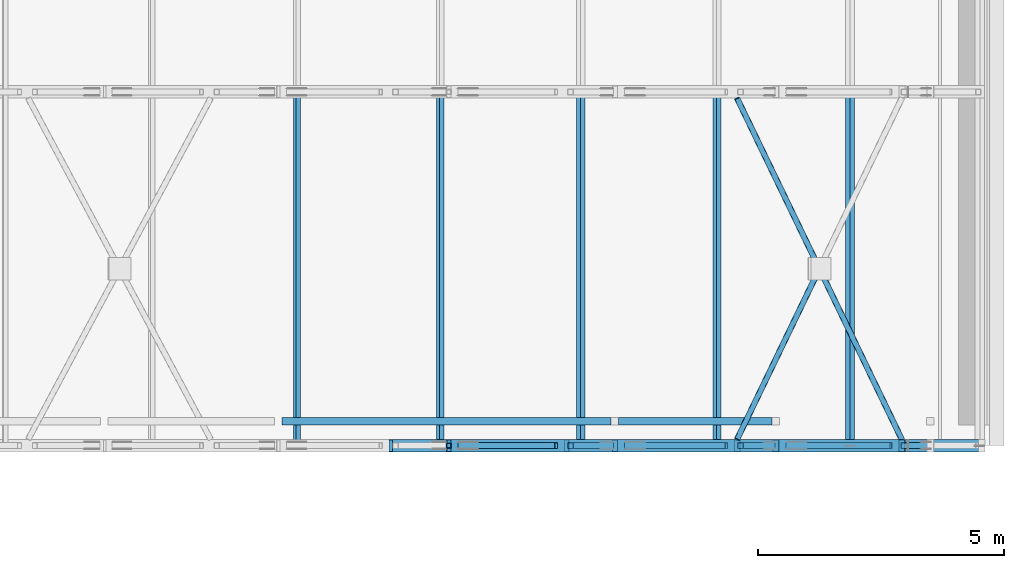
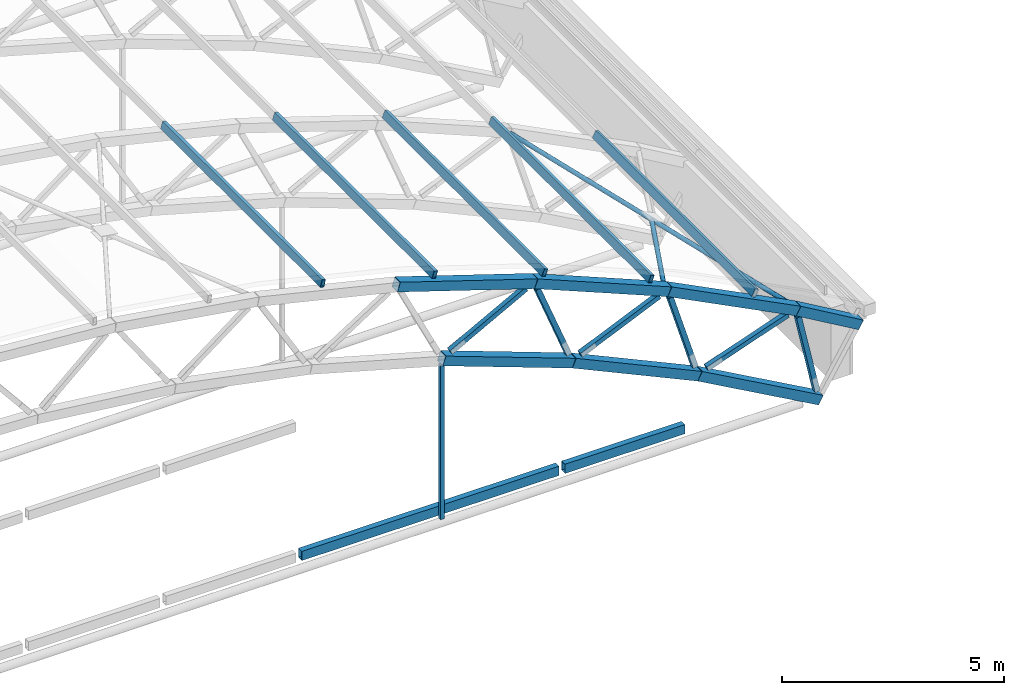
# One storey, part 52 of 127: 21 members, 2 beams.
"""IFC4 building model written with IfcOpenShell, lengths in metres."""

from ifc_helpers import new_model, si_unit, direction, frame, origin, origin_2d, place, context, subcontext, project, spatial, hollow_rectangle, hollow_circle, extrude, material, material_profile, profile_set, type_object, element, save


model = new_model("IFC4")

# Units and contexts
model_context = context("Model", 3, precision=1e-05, world=origin(), true_north=direction((0.0, 1.0)))
body_context = subcontext(model_context, "Body", "Model", "MODEL_VIEW")
ifc_project = project(units=[si_unit("LENGTHUNIT", "METRE"), si_unit("AREAUNIT", "SQUARE_METRE"), si_unit("VOLUMEUNIT", "CUBIC_METRE"), si_unit("PLANEANGLEUNIT", "RADIAN"), si_unit("MASSUNIT", "GRAM", prefix="KILO")], contexts=[model_context])

# Site, building, storey
site_placement = place(None, origin())
site = spatial("IfcSite", under=ifc_project, at=site_placement, CompositionType="ELEMENT")
building_placement = place(site_placement, origin())
building = spatial("IfcBuilding", under=site, at=building_placement, Name="Verrick Yard Athletic Hall", CompositionType="ELEMENT")
storey_placement = place(building_placement, frame((0.0, 0.0, 14.0)))
storey = spatial("IfcBuildingStorey", under=building, at=storey_placement, Name="L03", CompositionType="ELEMENT", Elevation=14.0)

# Members
ifc_material = material(Name="Structural steel HSS Class C 350W (CSA G40.20/G40.21)", Category="steel")
ifc_material_profile_1 = material_profile(ifc_material, hollow_rectangle(XDim=0.25390625, YDim=0.25390625, WallThickness=0.009521484375, at=origin_2d()), Name="HSS254x254x9.5")
ifc_profile_set_1 = profile_set([ifc_material_profile_1], Name="Structural steel HSS Class C 350W (CSA G40.20/G40.21)")
member_type_1 = type_object("IfcMemberType", Name="HB bottom chord HSS254x254x9.5", PredefinedType="CHORD", material=ifc_profile_set_1)
member_1_placement = place(storey_placement, frame((159.797119140625, 72.0, 4.51123046875), z_axis=(0.938394107905, 0.0, -0.345566922966), x_axis=(0.0, 1.0, 0.0)))
element("IfcMember", 1, at=member_1_placement, inside=storey, type_object=member_type_1, Name="Truss TA1 bottom chord 12", PredefinedType="CHORD", context=body_context, shape_type="SweptSolid", body=[
    extrude(hollow_rectangle(XDim=0.25390625, YDim=0.25390625, WallThickness=0.009521484375, at=origin_2d()), origin(), (0.0, 0.0, 1.0), 3.595947265625),
])
member_2_placement = place(storey_placement, frame((163.180908203125, 72.0, 3.2646484375), z_axis=(0.908445597889, 0.0, -0.418003104865), x_axis=(0.0, 1.0, 0.0)))
element("IfcMember", 2, at=member_2_placement, inside=storey, type_object=member_type_1, Name="Truss TA1 bottom chord 13", PredefinedType="CHORD", context=body_context, shape_type="SweptSolid", body=[
    extrude(hollow_rectangle(XDim=0.25390625, YDim=0.25390625, WallThickness=0.009521484375, at=origin_2d()), origin(), (0.0, 0.0, 1.0), 3.59619140625),
])
member_3_placement = place(storey_placement, frame((166.45654296875, 72.0, 1.757080078125), z_axis=(0.872897627776, 0.0, -0.487903403783), x_axis=(0.0, 1.0, 0.0)))
element("IfcMember", 3, at=member_3_placement, inside=storey, type_object=member_type_1, Name="Truss TA1 bottom chord 14", PredefinedType="CHORD", context=body_context, shape_type="SweptSolid", body=[
    extrude(hollow_rectangle(XDim=0.25390625, YDim=0.25390625, WallThickness=0.009521484375, at=origin_2d()), origin(), (0.0, 0.0, 1.0), 3.601318359375),
])
ifc_material_profile_2 = material_profile(ifc_material, hollow_rectangle(XDim=0.1015625, YDim=0.203125, WallThickness=0.009521484375, at=origin_2d()), Name="HSS203x102x9.5")
ifc_profile_set_2 = profile_set([ifc_material_profile_2], Name="Structural steel HSS Class C 350W (CSA G40.20/G40.21)")
member_type_2 = type_object("IfcMemberType", Name="HB purlin HSS203x102x9.5", PredefinedType="PURLIN", material=ifc_profile_set_2)
for number, where, z_axis, x_axis, name in (
    (4, (156.70703125, 72.0, 7.651611328125), (0.0, 1.0, 0.0), (-0.972458956474, 0.0, 0.23307418985), "HB-PU-A-1-13"),
    (5, (159.62060546875, 72.0, 6.872802734375), (0.0, 1.0, 0.0), (-0.951213620533, 0.0, 0.308533058379), "HB-PU-A-1-14"),
    (6, (162.48486328125, 72.0, 5.92431640625), (0.0, 1.0, 0.0), (-0.924122791552, 0.0, 0.382095624331), "HB-PU-A-1-15"),
    (7, (165.25732421875, 72.0, 4.778076171875), (0.0, 1.0, 0.0), (-0.924122791552, 0.0, 0.382095624331), "HB-PU-A-1-16"),
    (8, (167.965087890625, 72.0, 3.44873046875), (0.0, 1.0, 0.0), (-0.891352741199, 0.0, 0.453310369126), "HB-PU-A-1-17"),
):
    element("IfcMember", number, at=place(storey_placement, frame(where, z_axis=z_axis, x_axis=x_axis)), inside=storey, type_object=member_type_2, Name=name, PredefinedType="PURLIN", context=body_context, shape_type="SweptSolid", body=[
        extrude(hollow_rectangle(XDim=0.1015625, YDim=0.203125, WallThickness=0.009521484375, at=origin_2d()), origin(), (0.0, 0.0, 1.0), 7.199951171875),
    ])
ifc_material_profile_3 = material_profile(ifc_material, hollow_circle(Radius=0.05712890625, WallThickness=0.00634765625, at=origin_2d()), Name="HSS114x6.4")
ifc_profile_set_3 = profile_set([ifc_material_profile_3], Name="Structural steel HSS Class C 350W (CSA G40.20/G40.21)")
member_type_3 = type_object("IfcMemberType", Name="HB roof brace HSS114x6.4", PredefinedType="BRACE", material=ifc_profile_set_3)
member_4_placement = place(storey_placement, frame((165.665283203125, 72.126953125, 4.362060546875), z_axis=(0.424531356803, 0.879291124352, -0.215917219616), x_axis=(-0.900533196274, 0.434787261093, 0.0)))
element("IfcMember", 9, at=member_4_placement, inside=storey, type_object=member_type_3, Name="HB-BR-A-1-12b1", PredefinedType="BRACE", context=body_context, shape_type="SweptSolid", body=[
    extrude(hollow_circle(Radius=0.05712890625, WallThickness=0.00634765625, at=origin_2d()), origin(), (0.0, 0.0, 1.0), 3.844482421875),
])
member_5_placement = place(storey_placement, frame((169.019287109375, 72.126953125, 2.65625), z_axis=(-0.424568777061, 0.879269637222, 0.215931143203), x_axis=(-0.900514029788, -0.434826956565, 0.0)))
element("IfcMember", 10, at=member_5_placement, inside=storey, type_object=member_type_3, Name="HB-BR-A-1-12a", PredefinedType="BRACE", context=body_context, shape_type="SweptSolid", body=[
    extrude(hollow_circle(Radius=0.05712890625, WallThickness=0.00634765625, at=origin_2d()), origin(), (0.0, 0.0, 1.0), 7.89990234375),
])
ifc_material_profile_4 = material_profile(ifc_material, hollow_rectangle(XDim=0.25390625, YDim=0.25390625, WallThickness=0.009521484375, at=origin_2d()), Name="HSS254x254x9.5")
ifc_profile_set_4 = profile_set([ifc_material_profile_4], Name="Structural steel HSS Class C 350W (CSA G40.20/G40.21)")
member_type_4 = type_object("IfcMemberType", Name="HB top chord HSS254x254x9.5", PredefinedType="CHORD", material=ifc_profile_set_4)
for number, where, z_axis, x_axis, name in (
    (11, (158.61328125, 72.0, 6.959228515625), (0.951208887206, 0.0, -0.308547650938), (0.0, 1.0, 0.0), "Truss TA1 top chord 12"),
    (12, (162.1923828125, 72.0, 5.7978515625), (0.924139625494, 0.0, -0.382054907823), (0.0, 1.0, 0.0), "Truss TA1 top chord 13"),
):
    element("IfcMember", number, at=place(storey_placement, frame(where, z_axis=z_axis, x_axis=x_axis)), inside=storey, type_object=member_type_4, Name=name, PredefinedType="CHORD", context=body_context, shape_type="SweptSolid", body=[
        extrude(hollow_rectangle(XDim=0.25390625, YDim=0.25390625, WallThickness=0.009521484375, at=origin_2d()), origin(), (0.0, 0.0, 1.0), 3.7529296875),
    ])
member_6_placement = place(storey_placement, frame((165.669677734375, 72.0, 4.35986328125), z_axis=(0.891336584454, 0.0, -0.453342137037), x_axis=(0.0, 1.0, 0.0)))
element("IfcMember", 13, at=member_6_placement, inside=storey, type_object=member_type_4, Name="Truss TA1 top chord 14", PredefinedType="CHORD", context=body_context, shape_type="SweptSolid", body=[
    extrude(hollow_rectangle(XDim=0.25390625, YDim=0.25390625, WallThickness=0.009521484375, at=origin_2d()), origin(), (0.0, 0.0, 1.0), 3.754150390625),
])
member_7_placement = place(storey_placement, frame((169.0224609375, 72.0, 2.654541015625), z_axis=(0.863174775639, 0.0, -0.504905245269), x_axis=(0.0, 1.0, 0.0)))
element("IfcMember", 14, at=member_7_placement, inside=storey, type_object=member_type_4, Name="Truss TA1 top chord 15", PredefinedType="CHORD", context=body_context, shape_type="SweptSolid", body=[
    extrude(hollow_rectangle(XDim=0.25390625, YDim=0.25390625, WallThickness=0.009521484375, at=origin_2d()), origin(), (0.0, 0.0, 1.0), 1.878173828125),
])
ifc_material_profile_5 = material_profile(ifc_material, hollow_rectangle(XDim=0.1015625, YDim=0.1015625, WallThickness=0.00634765625, at=origin_2d()), Name="HSS102x102x6.4")
ifc_profile_set_5 = profile_set([ifc_material_profile_5], Name="Structural steel HSS Class C 350W (CSA G40.20/G40.21)")
member_type_5 = type_object("IfcMemberType", Name="HB truss hanger HSS102x102x6.4", PredefinedType="MEMBER", material=ifc_profile_set_5)
member_8_placement = place(storey_placement, frame((159.79248046875, 72.0, 4.35888671875), z_axis=(0.0, 0.0, -1.0), x_axis=(0.0, -1.0, 0.0)))
element("IfcMember", 15, at=member_8_placement, inside=storey, type_object=member_type_5, Name="Truss TA1 hanger 3", PredefinedType="MEMBER", context=body_context, shape_type="SweptSolid", body=[
    extrude(hollow_rectangle(XDim=0.1015625, YDim=0.1015625, WallThickness=0.00634765625, at=origin_2d()), origin(), (0.0, 0.0, 1.0), 4.249267578125),
])
ifc_material_profile_6 = material_profile(ifc_material, hollow_rectangle(XDim=0.126953125, YDim=0.126953125, WallThickness=0.009521484375, at=origin_2d()), Name="HSS127x127x9.5")
ifc_profile_set_6 = profile_set([ifc_material_profile_6], Name="Structural steel HSS Class C 350W (CSA G40.20/G40.21)")
member_type_6 = type_object("IfcMemberType", Name="HB truss web HSS127x127x9.5", PredefinedType="BRACE", material=ifc_profile_set_6)
for number, where, z_axis, x_axis, name in (
    (16, (160.01171875, 72.0, 4.630615234375), (0.880902446091, 0.0, 0.473297877103), (0.0, 1.0, 0.0), "Truss TA1 web 23"),
    (17, (162.27392578125, 72.0, 5.579345703125), (0.363537858519, 0.0, -0.931579425183), (0.0, 1.0, 0.0), "Truss TA1 web 24"),
    (18, (163.404052734375, 72.0, 3.366943359375), (0.915297302882, 0.0, 0.402778906272), (0.0, 1.0, 0.0), "Truss TA1 web 25"),
    (19, (165.733642578125, 72.0, 4.135498046875), (0.289543214815, 0.0, -0.957164942293), (0.0, 1.0, 0.0), "Truss TA1 web 26"),
    (20, (166.68701171875, 72.0, 1.841552734375), (0.944026930686, 0.0, 0.329868389118), (0.0, 1.0, 0.0), "Truss TA1 web 27"),
):
    element("IfcMember", number, at=place(storey_placement, frame(where, z_axis=z_axis, x_axis=x_axis)), inside=storey, type_object=member_type_6, Name=name, PredefinedType="BRACE", context=body_context, shape_type="SweptSolid", body=[
        extrude(hollow_rectangle(XDim=0.126953125, YDim=0.126953125, WallThickness=0.009521484375, at=origin_2d()), origin(), (0.0, 0.0, 1.0), 2.233642578125),
    ])
member_9_placement = place(storey_placement, frame((169.068603515625, 72.0, 2.430419921875), z_axis=(0.213603528569, 0.0, -0.976920433087), x_axis=(0.0, 1.0, 0.0)))
element("IfcMember", 21, at=member_9_placement, inside=storey, type_object=member_type_6, Name="Truss end diagonal TA1-28", PredefinedType="BRACE", context=body_context, shape_type="SweptSolid", body=[
    extrude(hollow_rectangle(XDim=0.126953125, YDim=0.126953125, WallThickness=0.009521484375, at=origin_2d()), origin(), (0.0, 0.0, 1.0), 2.261962890625),
])

# Beams
ifc_material_profile_7 = material_profile(ifc_material, hollow_rectangle(XDim=0.15234375, YDim=0.25390625, WallThickness=0.009521484375, at=origin_2d()), Name="HSS254x152x9.5")
ifc_profile_set_7 = profile_set([ifc_material_profile_7], Name="Structural steel HSS Class C 350W (CSA G40.20/G40.21)")
beam_type = type_object("IfcBeamType", Name="HB wind girder HSS254x152x9.5", PredefinedType="BEAM", material=ifc_profile_set_7)
beam_1_placement = place(storey_placement, frame((156.397705078125, 72.49462890625, 0.0), z_axis=(1.0, 0.0, 0.0), x_axis=(0.0, 1.0, 0.0)))
element("IfcBeam", 22, at=beam_1_placement, inside=storey, type_object=beam_type, Name="HB-WG-AS-140-8", PredefinedType="BEAM", context=body_context, shape_type="SweptSolid", body=[
    extrude(hollow_rectangle(XDim=0.15234375, YDim=0.25390625, WallThickness=0.009521484375, at=origin_2d()), origin(), (0.0, 0.0, 1.0), 6.702392578125),
])
beam_2_placement = place(storey_placement, frame((163.252685546875, 72.49462890625, 0.0), z_axis=(1.0, 0.0, 0.0), x_axis=(0.0, 1.0, 0.0)))
element("IfcBeam", 23, at=beam_2_placement, inside=storey, type_object=beam_type, Name="HB-WG-AS-140-9", PredefinedType="BEAM", context=body_context, shape_type="SweptSolid", body=[
    extrude(hollow_rectangle(XDim=0.15234375, YDim=0.25390625, WallThickness=0.009521484375, at=origin_2d()), origin(), (0.0, 0.0, 1.0), 3.123291015625),
])

save(model, "model.ifc")
